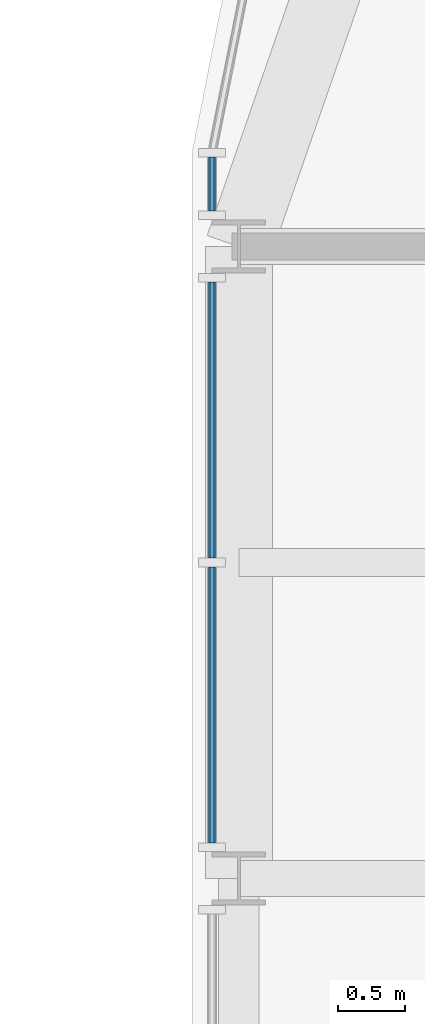
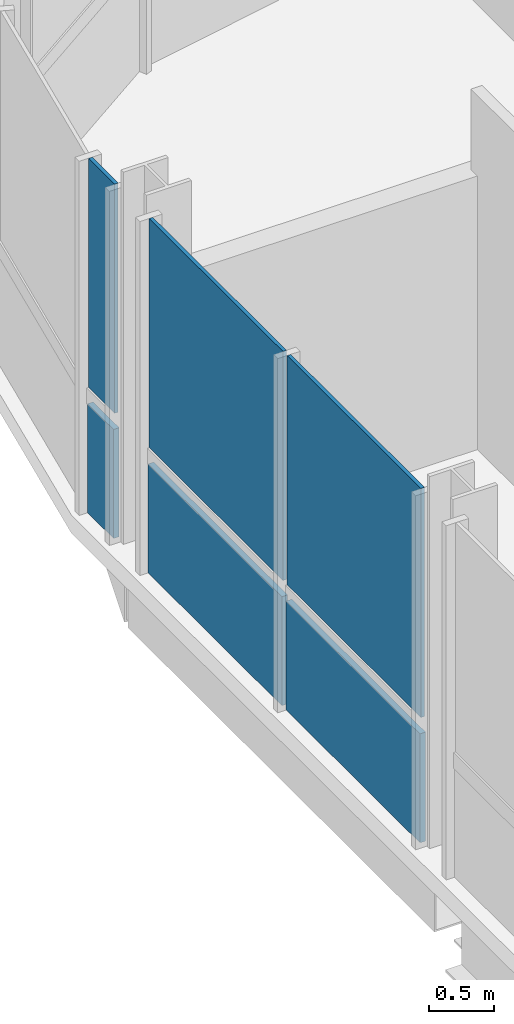
# One storey, part 9 of 17: 6 plates, 2 elements without a shape of their own.
"""IFC4 building model written with IfcOpenShell, lengths in metres."""

from ifc_helpers import new_model, si_unit, direction, frame, origin, origin_2d, place, context, subcontext, project, spatial, rectangle, extrude, material, layer, layer_set, type_object, element, aggregate, save


model = new_model("IFC4")

# Units and contexts
model_context = context("Model", 3, precision=1e-05, world=origin(), true_north=direction((0.0, 1.0)))
body_context = subcontext(model_context, "Body", "Model", "MODEL_VIEW")
ifc_project = project(units=[si_unit("LENGTHUNIT", "METRE"), si_unit("AREAUNIT", "SQUARE_METRE"), si_unit("VOLUMEUNIT", "CUBIC_METRE"), si_unit("PLANEANGLEUNIT", "RADIAN"), si_unit("MASSUNIT", "GRAM", prefix="KILO")], contexts=[model_context])

# Site, building, storey
site_placement = place(None, origin())
site = spatial("IfcSite", under=ifc_project, at=site_placement, CompositionType="ELEMENT")
building_placement = place(site_placement, origin())
building = spatial("IfcBuilding", under=site, at=building_placement, Name="Turquesa Mirador Hotel Tower", CompositionType="ELEMENT")
storey_placement = place(building_placement, frame((0.0, 0.0, 251.199951171875)))
storey = spatial("IfcBuildingStorey", under=building, at=storey_placement, Name="L68", CompositionType="ELEMENT", Elevation=251.199951171875)

# Curtain wall, plate
ifc_material_1 = material(Name="Aluminium extrusion", Category="aluminium")
curtain_wall_type = type_object("IfcCurtainWallType", Name="CW-4 SUITE FRITTED CURTAIN WALL", PredefinedType="USERDEFINED", material=ifc_material_1)
curtain_wall_1_placement = place(storey_placement, origin())
curtain_wall_1 = element("IfcCurtainWall", 1, at=curtain_wall_1_placement, inside=storey, type_object=curtain_wall_type, Name="CW-4 SUITE FRITTED CURTAIN WALL L68", ObjectType="CURTAIN WALL", PredefinedType="USERDEFINED")
ifc_material_2 = material(Name="Ceramic-printed spandrel glass on an insulated back pan", Category="glass")
ifc_layer_1 = layer(ifc_material_2, 0.050048828125)
ifc_layer_set_1 = layer_set([ifc_layer_1], Name="CW PANEL SPANDREL CERAMIC")
plate_type_1 = type_object("IfcPlateType", Name="CW PANEL SPANDREL CERAMIC", PredefinedType="CURTAIN_PANEL", material=ifc_layer_set_1)
plate_1_placement = place(storey_placement, frame((37.14990234375, 57.266845703125, 0.0), z_axis=(0.0, 0.0, 1.0), x_axis=(0.0, -1.0, 0.0)))
plate_1 = element("IfcPlate", 2, at=plate_1_placement, type_object=plate_type_1, Name="Panel", PredefinedType="CURTAIN_PANEL", context=body_context, shape_type="SweptSolid", body=[
    extrude(rectangle(XDim=0.401123046875, YDim=0.050048828125, at=origin_2d()), origin(), (0.0, 0.0, 1.0), 1.02490234375),
])

# Curtain wall, plates
curtain_wall_2_placement = place(storey_placement, origin())
curtain_wall_2 = element("IfcCurtainWall", 3, at=curtain_wall_2_placement, inside=storey, type_object=curtain_wall_type, Name="CW-4 SUITE FRITTED CURTAIN WALL L68", ObjectType="CURTAIN WALL", PredefinedType="USERDEFINED")
plate_2_placement = place(storey_placement, frame((37.14990234375, 55.503173828125, 0.0), z_axis=(0.0, 0.0, 1.0), x_axis=(0.0, -1.0, 0.0)))
plate_2 = element("IfcPlate", 4, at=plate_2_placement, type_object=plate_type_1, Name="Panel", PredefinedType="CURTAIN_PANEL", context=body_context, shape_type="SweptSolid", body=[
    extrude(rectangle(XDim=2.06103515625, YDim=0.050048828125, at=origin_2d()), origin(), (0.0, 0.0, 1.0), 1.02490234375),
])
plate_3_placement = place(storey_placement, frame((37.14990234375, 53.376953125, 0.0), z_axis=(0.0, 0.0, 1.0), x_axis=(0.0, -1.0, 0.0)))
plate_3 = element("IfcPlate", 5, at=plate_3_placement, type_object=plate_type_1, Name="Panel", PredefinedType="CURTAIN_PANEL", context=body_context, shape_type="SweptSolid", body=[
    extrude(rectangle(XDim=2.06103515625, YDim=0.050048828125, at=origin_2d()), origin(), (0.0, 0.0, 1.0), 1.02490234375),
])

# Plate
ifc_material_3 = material(Name="Ceramic-fritted laminated glass", Category="glass")
ifc_layer_2 = layer(ifc_material_3, 0.031982421875)
ifc_layer_set_2 = layer_set([ifc_layer_2], Name="CW PANEL VISION FRITTED")
plate_type_2 = type_object("IfcPlateType", Name="CW PANEL VISION FRITTED", PredefinedType="CURTAIN_PANEL", material=ifc_layer_set_2)
plate_4_placement = place(storey_placement, frame((37.14990234375, 57.266845703125, 1.1748046875), z_axis=(0.0, 0.0, 1.0), x_axis=(0.0, -1.0, 0.0)))
plate_4 = element("IfcPlate", 6, at=plate_4_placement, type_object=plate_type_2, Name="Panel", PredefinedType="CURTAIN_PANEL", context=body_context, shape_type="SweptSolid", body=[
    extrude(rectangle(XDim=0.401123046875, YDim=0.031982421875, at=origin_2d()), origin(), (0.0, 0.0, 1.0), 2.155029296875),
])

aggregate(curtain_wall_1, [plate_1, plate_4])

plate_5_placement = place(storey_placement, frame((37.14990234375, 55.503173828125, 1.1748046875), z_axis=(0.0, 0.0, 1.0), x_axis=(0.0, -1.0, 0.0)))
plate_5 = element("IfcPlate", 7, at=plate_5_placement, type_object=plate_type_2, Name="Panel", PredefinedType="CURTAIN_PANEL", context=body_context, shape_type="SweptSolid", body=[
    extrude(rectangle(XDim=2.06103515625, YDim=0.031982421875, at=origin_2d()), origin(), (0.0, 0.0, 1.0), 2.155029296875),
])

plate_6_placement = place(storey_placement, frame((37.14990234375, 53.376953125, 1.1748046875), z_axis=(0.0, 0.0, 1.0), x_axis=(0.0, -1.0, 0.0)))
plate_6 = element("IfcPlate", 8, at=plate_6_placement, type_object=plate_type_2, Name="Panel", PredefinedType="CURTAIN_PANEL", context=body_context, shape_type="SweptSolid", body=[
    extrude(rectangle(XDim=2.06103515625, YDim=0.031982421875, at=origin_2d()), origin(), (0.0, 0.0, 1.0), 2.155029296875),
])

aggregate(curtain_wall_2, [plate_2, plate_5, plate_3, plate_6])

save(model, "model.ifc")
